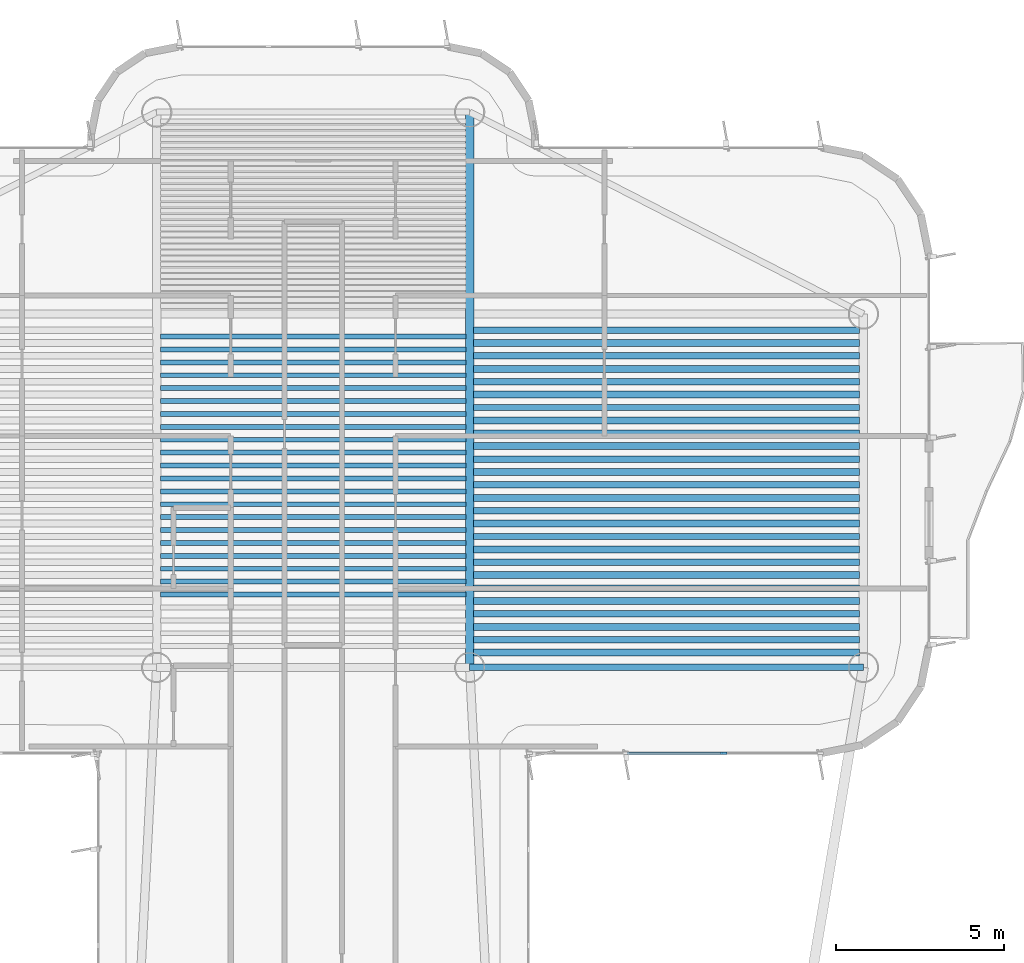
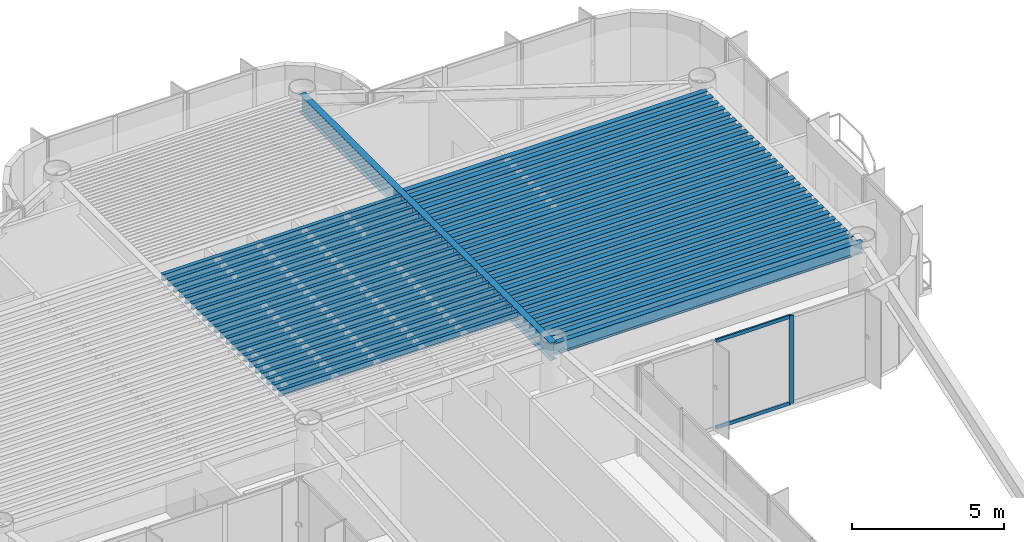
# One storey, part 6 of 15: 49 beams, 3 members, 1 element without a shape of its own.
"""IFC4 building model written with IfcOpenShell, lengths in metres."""

from ifc_helpers import new_model, si_unit, direction, frame, origin, origin_2d, place, context, subcontext, project, spatial, rectangle, i_section, extrude, source, transform, mapped, material, layer, layer_set, material_profile, profile_set, type_object, element, aggregate, save


model = new_model("IFC4")

# Units and contexts
model_context = context("Model", 3, precision=1e-05, world=origin(), true_north=direction((0.0, 1.0)))
body_context = subcontext(model_context, "Body", "Model", "MODEL_VIEW")
ifc_project = project(units=[si_unit("LENGTHUNIT", "METRE"), si_unit("AREAUNIT", "SQUARE_METRE"), si_unit("VOLUMEUNIT", "CUBIC_METRE"), si_unit("PLANEANGLEUNIT", "RADIAN"), si_unit("MASSUNIT", "GRAM", prefix="KILO")], contexts=[model_context])

# Site, building, storey
site_placement = place(None, origin())
site = spatial("IfcSite", under=ifc_project, at=site_placement, CompositionType="ELEMENT")
building_placement = place(site_placement, origin())
building = spatial("IfcBuilding", under=site, at=building_placement, Name="Brelvock Crest Care Tower", CompositionType="ELEMENT")
storey_placement = place(building_placement, frame((0.0, 0.0, 264.60009765625)))
storey = spatial("IfcBuildingStorey", under=building, at=storey_placement, Name="L67", CompositionType="ELEMENT", Elevation=264.60009765625)

# Beams
ifc_material_1 = material(Name="Steel Grade 350", Category="steel")
ifc_material_profile_1 = material_profile(ifc_material_1, i_section(OverallWidth=0.14599609375, OverallDepth=0.256103515625, WebThickness=0.00634765625, FlangeThickness=0.010986328125, FilletRadius=0.0087890625, at=origin_2d()), Name="250UB37.3")
ifc_profile_set_1 = profile_set([ifc_material_profile_1], Name="Steel Grade 350")
beam_type_1 = type_object("IfcBeamType", Name="BM-J3", PredefinedType="JOIST", material=ifc_profile_set_1)
shared_shape_1 = source(origin(), body_context, "Body", "SweptSolid", [
    extrude(i_section(OverallWidth=0.14599609375, OverallDepth=0.256103515625, WebThickness=0.00634765625, FlangeThickness=0.010986328125, FilletRadius=0.0087890625, at=origin_2d()), origin(), (0.0, 0.0, 1.0), 9.06982421875),
])
for number, where, z_axis, x_axis, name in (
    (1, (31.465087890625, 46.115478515625, 3.40185546875), (1.0, 0.0, 0.0), (0.0, 1.0, 0.0), "BM-JH-L67-5"),
    (2, (31.465087890625, 46.498779296875, 3.40185546875), (1.0, 0.0, 0.0), (0.0, 1.0, 0.0), "BM-JH-L67-6"),
    (3, (31.465087890625, 46.882080078125, 3.40185546875), (1.0, 0.0, 0.0), (0.0, 1.0, 0.0), "BM-JH-L67-7"),
    (4, (31.465087890625, 47.265380859375, 3.40185546875), (1.0, 0.0, 0.0), (0.0, 1.0, 0.0), "BM-JH-L67-8"),
    (5, (31.465087890625, 47.648681640625, 3.40185546875), (1.0, 0.0, 0.0), (0.0, 1.0, 0.0), "BM-JH-L67-9"),
    (6, (31.465087890625, 48.031982421875, 3.40185546875), (1.0, 0.0, 0.0), (0.0, 1.0, 0.0), "BM-JH-L67-10"),
    (7, (31.465087890625, 48.4150390625, 3.40185546875), (1.0, 0.0, 0.0), (0.0, 1.0, 0.0), "BM-JH-L67-11"),
    (8, (31.465087890625, 48.79833984375, 3.40185546875), (1.0, 0.0, 0.0), (0.0, 1.0, 0.0), "BM-JH-L67-12"),
    (9, (31.465087890625, 49.181640625, 3.40185546875), (1.0, 0.0, 0.0), (0.0, 1.0, 0.0), "BM-JH-L67-13"),
    (10, (31.465087890625, 49.564697265625, 3.40185546875), (1.0, 0.0, 0.0), (0.0, 1.0, 0.0), "BM-JH-L67-14"),
    (11, (31.465087890625, 49.947998046875, 3.40185546875), (1.0, 0.0, 0.0), (0.0, 1.0, 0.0), "BM-JH-L67-15"),
    (12, (31.465087890625, 50.331298828125, 3.40185546875), (1.0, 0.0, 0.0), (0.0, 1.0, 0.0), "BM-JH-L67-16"),
    (13, (31.465087890625, 50.714599609375, 3.40185546875), (1.0, 0.0, 0.0), (0.0, 1.0, 0.0), "BM-JH-L67-17"),
    (14, (31.465087890625, 51.097900390625, 3.40185546875), (1.0, 0.0, 0.0), (0.0, 1.0, 0.0), "BM-JH-L67-18"),
    (15, (31.465087890625, 51.481201171875, 3.40185546875), (1.0, 0.0, 0.0), (0.0, 1.0, 0.0), "BM-JH-L67-19"),
    (16, (31.465087890625, 51.864501953125, 3.40185546875), (1.0, 0.0, 0.0), (0.0, 1.0, 0.0), "BM-JH-L67-20"),
    (17, (31.465087890625, 52.24755859375, 3.40185546875), (1.0, 0.0, 0.0), (0.0, 1.0, 0.0), "BM-JH-L67-21"),
    (18, (31.465087890625, 52.630859375, 3.40185546875), (1.0, 0.0, 0.0), (0.0, 1.0, 0.0), "BM-JH-L67-22"),
    (19, (31.465087890625, 53.01416015625, 3.40185546875), (1.0, 0.0, 0.0), (0.0, 1.0, 0.0), "BM-JH-L67-23"),
    (20, (31.465087890625, 53.3974609375, 3.40185546875), (1.0, 0.0, 0.0), (0.0, 1.0, 0.0), "BM-JH-L67-24"),
    (21, (31.465087890625, 53.780517578125, 3.40185546875), (1.0, 0.0, 0.0), (0.0, 1.0, 0.0), "BM-JH-L67-25"),
):
    element("IfcBeam", number, at=place(storey_placement, frame(where, z_axis=z_axis, x_axis=x_axis)), inside=storey, type_object=beam_type_1, Name=name, PredefinedType="JOIST", context=body_context, shape_type="MappedRepresentation", body=[
        mapped(shared_shape_1, transform((0.0, 0.0, 0.0), x_axis=(1.0, 0.0, 0.0), y_axis=(0.0, 1.0, 0.0), z_axis=(0.0, 0.0, 1.0), scale=1.0)),
    ])
ifc_material_profile_2 = material_profile(ifc_material_1, i_section(OverallWidth=0.19091796875, OverallDepth=0.4599609375, WebThickness=0.010009765625, FlangeThickness=0.01611328125, FilletRadius=0.011474609375, at=origin_2d()), Name="460UB82.1")
ifc_profile_set_2 = profile_set([ifc_material_profile_2], Name="Steel Grade 350")
beam_type_2 = type_object("IfcBeamType", Name="BM-G3", PredefinedType="BEAM", material=ifc_profile_set_2)
shared_shape_2 = source(origin(), body_context, "Body", "SweptSolid", [
    extrude(i_section(OverallWidth=0.19091796875, OverallDepth=0.4599609375, WebThickness=0.010009765625, FlangeThickness=0.01611328125, FilletRadius=0.011474609375, at=origin_2d()), origin(), (0.0, 0.0, 1.0), 11.47021484375),
])
for number, where, z_axis, x_axis, name in (
    (22, (40.764892578125, 44.7744140625, 3.2998046875), (1.0, 0.0, 0.0), (0.0, 1.0, 0.0), "BM-JE-L67-2"),
    (23, (40.764892578125, 45.540771484375, 3.2998046875), (1.0, 0.0, 0.0), (0.0, 1.0, 0.0), "BM-JE-L67-4"),
    (24, (40.764892578125, 46.307373046875, 3.2998046875), (1.0, 0.0, 0.0), (0.0, 1.0, 0.0), "BM-JE-L67-6"),
    (25, (40.764892578125, 47.07373046875, 3.2998046875), (1.0, 0.0, 0.0), (0.0, 1.0, 0.0), "BM-JE-L67-8"),
    (26, (40.764892578125, 47.84033203125, 3.2998046875), (1.0, 0.0, 0.0), (0.0, 1.0, 0.0), "BM-JE-L67-10"),
    (27, (40.764892578125, 48.606689453125, 3.2998046875), (1.0, 0.0, 0.0), (0.0, 1.0, 0.0), "BM-JE-L67-12"),
    (28, (40.764892578125, 49.373291015625, 3.2998046875), (1.0, 0.0, 0.0), (0.0, 1.0, 0.0), "BM-JE-L67-14"),
    (29, (40.764892578125, 50.139892578125, 3.2998046875), (1.0, 0.0, 0.0), (0.0, 1.0, 0.0), "BM-JE-L67-16"),
    (30, (40.764892578125, 50.90625, 3.2998046875), (1.0, 0.0, 0.0), (0.0, 1.0, 0.0), "BM-JE-L67-18"),
    (31, (40.764892578125, 51.6728515625, 3.2998046875), (1.0, 0.0, 0.0), (0.0, 1.0, 0.0), "BM-JE-L67-20"),
    (32, (40.764892578125, 52.439208984375, 3.2998046875), (1.0, 0.0, 0.0), (0.0, 1.0, 0.0), "BM-JE-L67-22"),
    (33, (40.764892578125, 53.205810546875, 3.2998046875), (1.0, 0.0, 0.0), (0.0, 1.0, 0.0), "BM-JE-L67-24"),
    (34, (40.764892578125, 53.972412109375, 3.2998046875), (1.0, 0.0, 0.0), (0.0, 1.0, 0.0), "BM-JE-L67-26"),
):
    element("IfcBeam", number, at=place(storey_placement, frame(where, z_axis=z_axis, x_axis=x_axis)), inside=storey, type_object=beam_type_2, Name=name, PredefinedType="BEAM", context=body_context, shape_type="MappedRepresentation", body=[
        mapped(shared_shape_2, transform((0.0, 0.0, 0.0), x_axis=(1.0, 0.0, 0.0), y_axis=(0.0, 1.0, 0.0), z_axis=(0.0, 0.0, 1.0), scale=1.0)),
    ])
ifc_material_profile_3 = material_profile(ifc_material_1, i_section(OverallWidth=0.208984375, OverallDepth=0.532958984375, WebThickness=0.01025390625, FlangeThickness=0.015625, FilletRadius=0.013916015625, at=origin_2d()), Name="530UB92.4")
ifc_profile_set_3 = profile_set([ifc_material_profile_3], Name="Steel Grade 350")
beam_type_3 = type_object("IfcBeamType", Name="BM-G2", PredefinedType="BEAM", material=ifc_profile_set_3)
shared_shape_3 = source(origin(), body_context, "Body", "SweptSolid", [
    extrude(i_section(OverallWidth=0.208984375, OverallDepth=0.532958984375, WebThickness=0.01025390625, FlangeThickness=0.015625, FilletRadius=0.013916015625, at=origin_2d()), origin(), (0.0, 0.0, 1.0), 11.47021484375),
])
for number, where, z_axis, x_axis, name in (
    (35, (40.764892578125, 44.39111328125, 3.263427734375), (1.0, 0.0, 0.0), (0.0, 1.0, 0.0), "BM-JE-L67-1"),
    (36, (40.764892578125, 45.157470703125, 3.263427734375), (1.0, 0.0, 0.0), (0.0, 1.0, 0.0), "BM-JE-L67-3"),
    (37, (40.764892578125, 45.924072265625, 3.263427734375), (1.0, 0.0, 0.0), (0.0, 1.0, 0.0), "BM-JE-L67-5"),
    (38, (40.764892578125, 46.6904296875, 3.263427734375), (1.0, 0.0, 0.0), (0.0, 1.0, 0.0), "BM-JE-L67-7"),
    (39, (40.764892578125, 47.45703125, 3.263427734375), (1.0, 0.0, 0.0), (0.0, 1.0, 0.0), "BM-JE-L67-9"),
    (40, (40.764892578125, 48.223388671875, 3.263427734375), (1.0, 0.0, 0.0), (0.0, 1.0, 0.0), "BM-JE-L67-11"),
    (41, (40.764892578125, 48.989990234375, 3.263427734375), (1.0, 0.0, 0.0), (0.0, 1.0, 0.0), "BM-JE-L67-13"),
    (42, (40.764892578125, 49.756591796875, 3.263427734375), (1.0, 0.0, 0.0), (0.0, 1.0, 0.0), "BM-JE-L67-15"),
    (43, (40.764892578125, 50.52294921875, 3.263427734375), (1.0, 0.0, 0.0), (0.0, 1.0, 0.0), "BM-JE-L67-17"),
    (44, (40.764892578125, 51.28955078125, 3.263427734375), (1.0, 0.0, 0.0), (0.0, 1.0, 0.0), "BM-JE-L67-19"),
    (45, (40.764892578125, 52.055908203125, 3.263427734375), (1.0, 0.0, 0.0), (0.0, 1.0, 0.0), "BM-JE-L67-21"),
    (46, (40.764892578125, 52.822509765625, 3.263427734375), (1.0, 0.0, 0.0), (0.0, 1.0, 0.0), "BM-JE-L67-23"),
    (47, (40.764892578125, 53.589111328125, 3.263427734375), (1.0, 0.0, 0.0), (0.0, 1.0, 0.0), "BM-JE-L67-25"),
):
    element("IfcBeam", number, at=place(storey_placement, frame(where, z_axis=z_axis, x_axis=x_axis)), inside=storey, type_object=beam_type_3, Name=name, PredefinedType="BEAM", context=body_context, shape_type="MappedRepresentation", body=[
        mapped(shared_shape_3, transform((0.0, 0.0, 0.0), x_axis=(1.0, 0.0, 0.0), y_axis=(0.0, 1.0, 0.0), z_axis=(0.0, 0.0, 1.0), scale=1.0)),
    ])
ifc_material_profile_4 = material_profile(ifc_material_1, i_section(OverallWidth=0.19091796875, OverallDepth=0.4599609375, WebThickness=0.010009765625, FlangeThickness=0.01611328125, FilletRadius=0.011474609375, at=origin_2d()), Name="460UB82.1")
ifc_profile_set_4 = profile_set([ifc_material_profile_4], Name="Steel Grade 350")
beam_type_4 = type_object("IfcBeamType", Name="BM-SP2", PredefinedType="SPANDREL", material=ifc_profile_set_4)
shared_shape_4 = source(origin(), body_context, "Body", "SweptSolid", [
    extrude(i_section(OverallWidth=0.19091796875, OverallDepth=0.4599609375, WebThickness=0.010009765625, FlangeThickness=0.01611328125, FilletRadius=0.011474609375, at=origin_2d()), origin(), (0.0, 0.0, 1.0), 11.7001953125),
])
beam_1_placement = place(storey_placement, frame((40.64990234375, 43.949951171875, 3.2998046875), z_axis=(1.0, 0.0, 0.0), x_axis=(0.0, 1.0, 0.0)))
element("IfcBeam", 48, at=beam_1_placement, inside=storey, type_object=beam_type_4, Name="BM-TWR-L67-04", PredefinedType="SPANDREL", context=body_context, shape_type="MappedRepresentation", body=[
    mapped(shared_shape_4, transform((0.0, 0.0, 0.0), x_axis=(1.0, 0.0, 0.0), y_axis=(0.0, 1.0, 0.0), z_axis=(0.0, 0.0, 1.0), scale=1.0)),
])
ifc_material_profile_5 = material_profile(ifc_material_1, i_section(OverallWidth=0.25, OverallDepth=0.699951171875, WebThickness=0.011962890625, FlangeThickness=0.02001953125, at=origin_2d()), Name="700WB150")
ifc_profile_set_5 = profile_set([ifc_material_profile_5], Name="Steel Grade 350")
beam_type_5 = type_object("IfcBeamType", Name="BM-G4", PredefinedType="BEAM", material=ifc_profile_set_5)
shared_shape_5 = source(origin(), body_context, "Body", "SweptSolid", [
    extrude(i_section(OverallWidth=0.25, OverallDepth=0.699951171875, WebThickness=0.011962890625, FlangeThickness=0.02001953125, at=origin_2d()), origin(), (0.0, 0.0, 1.0), 16.5),
])
beam_2_placement = place(storey_placement, frame((40.64990234375, 43.949951171875, 3.179931640625), z_axis=(0.0, 1.0, 0.0), x_axis=(-1.0, 0.0, 0.0)))
element("IfcBeam", 49, at=beam_2_placement, inside=storey, type_object=beam_type_5, Name="BM-TWR-L67-10", PredefinedType="BEAM", context=body_context, shape_type="MappedRepresentation", body=[
    mapped(shared_shape_5, transform((0.0, 0.0, 0.0), x_axis=(1.0, 0.0, 0.0), y_axis=(0.0, 1.0, 0.0), z_axis=(0.0, 0.0, 1.0), scale=1.0)),
])

# Curtain wall, members
ifc_material_2 = material(Name="Dark Glass Double Glazed Low-E", Category="glass")
ifc_layer = layer(ifc_material_2, 0.239990234375, Name="CWS-5")
ifc_layer_set = layer_set([ifc_layer], Name="Dark Glass Double Glazed Low-E")
curtain_wall_type = type_object("IfcCurtainWallType", Name="CWS-5", PredefinedType="NOTDEFINED", material=ifc_layer_set)
curtain_wall_placement = place(storey_placement, origin())
curtain_wall = element("IfcCurtainWall", 50, at=curtain_wall_placement, inside=storey, type_object=curtain_wall_type, Name="L67 Curtain Wall E44", PredefinedType="NOTDEFINED")
ifc_material_3 = material(Name="Aluminium 6063-T6", Category="aluminium")
ifc_material_profile_6 = material_profile(ifc_material_3, rectangle(XDim=0.06005859375, YDim=0.179931640625, at=origin_2d()), Name="ALU60x180")
ifc_profile_set_6 = profile_set([ifc_material_profile_6], Name="Aluminium 6063-T6")
member_type_1 = type_object("IfcMemberType", Name="CWM-2", PredefinedType="MULLION", material=ifc_profile_set_6)
shared_shape_6 = source(origin(), body_context, "Body", "SweptSolid", [
    extrude(rectangle(XDim=0.06005859375, YDim=0.179931640625, at=origin_2d()), origin(), (0.0, 0.0, 1.0), 3.52978515625),
])
member_1_placement = place(storey_placement, frame((48.199951171875, 41.39990234375, 0.0), z_axis=(0.0, 0.0, 1.0), x_axis=(0.0, -1.0, 0.0)))
member_1 = element("IfcMember", 51, at=member_1_placement, type_object=member_type_1, Name="CW-5 mullion 2", PredefinedType="MULLION", context=body_context, shape_type="MappedRepresentation", body=[
    mapped(shared_shape_6, transform((0.0, 0.0, 0.0), x_axis=(1.0, 0.0, 0.0), y_axis=(0.0, 1.0, 0.0), z_axis=(0.0, 0.0, 1.0), scale=1.0)),
])
ifc_material_profile_7 = material_profile(ifc_material_3, rectangle(XDim=0.06005859375, YDim=0.139892578125, at=origin_2d()), Name="ALU60x140")
ifc_profile_set_7 = profile_set([ifc_material_profile_7], Name="Aluminium 6063-T6")
member_type_2 = type_object("IfcMemberType", Name="CWT-2", PredefinedType="USERDEFINED", material=ifc_profile_set_7)
shared_shape_7 = source(origin(), body_context, "Body", "SweptSolid", [
    extrude(rectangle(XDim=0.06005859375, YDim=0.139892578125, at=origin_2d()), origin(), (0.0, 0.0, 1.0), 2.83984375),
])
member_2_placement = place(storey_placement, frame((48.169921875, 41.39990234375, 0.02978515625), z_axis=(-1.0, 0.0, 0.0), x_axis=(0.0, -1.0, 0.0)))
member_2 = element("IfcMember", 52, at=member_2_placement, type_object=member_type_2, Name="CW-5 transom 2.1", ObjectType="TRANSOM", PredefinedType="USERDEFINED", context=body_context, shape_type="MappedRepresentation", body=[
    mapped(shared_shape_7, transform((0.0, 0.0, 0.0), x_axis=(1.0, 0.0, 0.0), y_axis=(0.0, 1.0, 0.0), z_axis=(0.0, 0.0, 1.0), scale=1.0)),
])
member_3_placement = place(storey_placement, frame((48.169921875, 41.39990234375, 3.5), z_axis=(-1.0, 0.0, 0.0), x_axis=(0.0, -1.0, 0.0)))
member_3 = element("IfcMember", 53, at=member_3_placement, type_object=member_type_2, Name="CW-5 transom 2.2", ObjectType="TRANSOM", PredefinedType="USERDEFINED", context=body_context, shape_type="MappedRepresentation", body=[
    mapped(shared_shape_7, transform((0.0, 0.0, 0.0), x_axis=(1.0, 0.0, 0.0), y_axis=(0.0, 1.0, 0.0), z_axis=(0.0, 0.0, 1.0), scale=1.0)),
])
aggregate(curtain_wall, [member_1, member_2, member_3])

save(model, "model.ifc")
